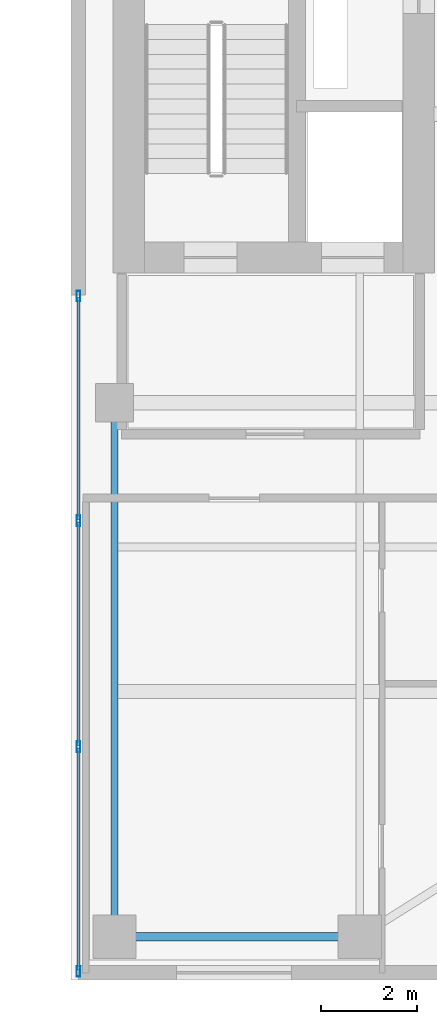
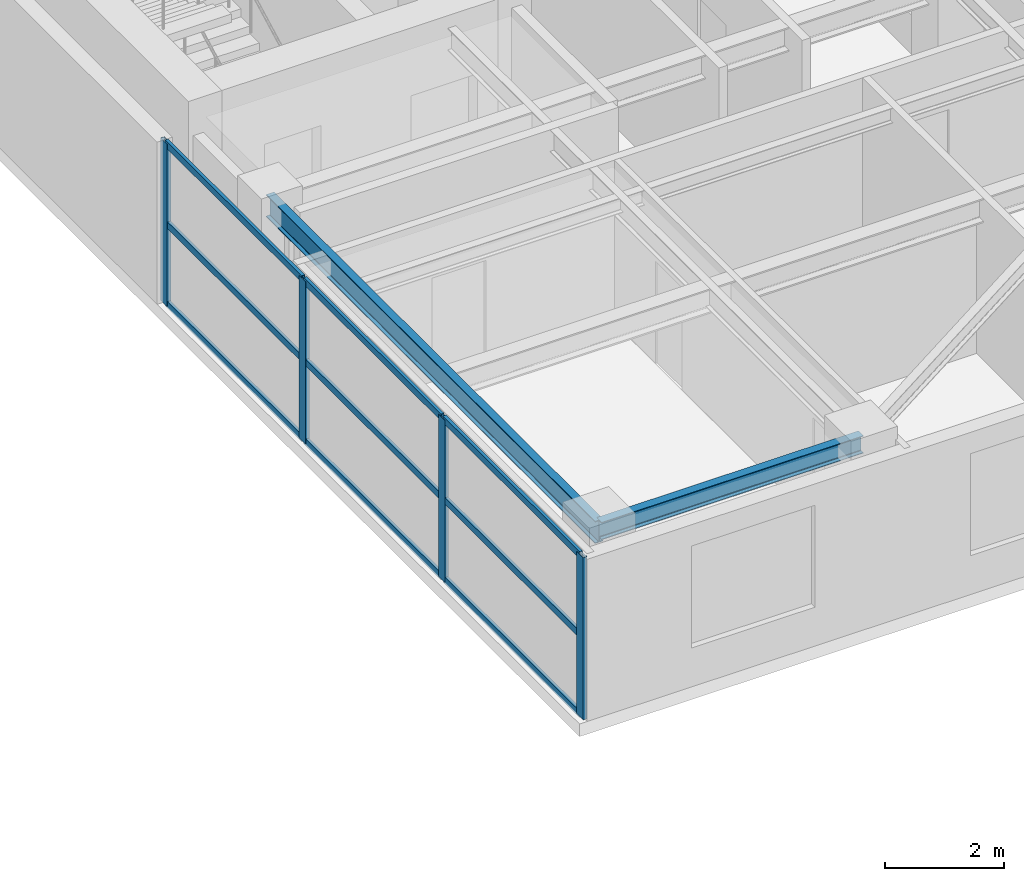
# One storey, part 4 of 21: 13 members, 2 beams, 1 element without a shape of its own.
"""IFC4 building model written with IfcOpenShell, lengths in metres."""

from ifc_helpers import new_model, si_unit, direction, frame, origin, origin_2d, place, context, subcontext, project, spatial, hollow_rectangle, i_section, extrude, source, transform, mapped, material, layer, layer_set, material_profile, profile_set, type_object, element, aggregate, save


model = new_model("IFC4")

# Units and contexts
model_context = context("Model", 3, precision=1e-05, world=origin(), true_north=direction((0.0, 1.0)))
body_context = subcontext(model_context, "Body", "Model", "MODEL_VIEW")
ifc_project = project(units=[si_unit("LENGTHUNIT", "METRE"), si_unit("AREAUNIT", "SQUARE_METRE"), si_unit("VOLUMEUNIT", "CUBIC_METRE"), si_unit("PLANEANGLEUNIT", "RADIAN"), si_unit("MASSUNIT", "GRAM", prefix="KILO")], contexts=[model_context])

# Site, building, storey
site_placement = place(None, origin())
site = spatial("IfcSite", under=ifc_project, at=site_placement, CompositionType="ELEMENT")
building_placement = place(site_placement, origin())
building = spatial("IfcBuilding", under=site, at=building_placement, Name="Khoralis Quay Care Tower", CompositionType="ELEMENT")
storey_placement = place(building_placement, frame((0.0, 0.0, 206.10009765625)))
storey = spatial("IfcBuildingStorey", under=building, at=storey_placement, Name="L54", CompositionType="ELEMENT", Elevation=206.10009765625)

# Beams
ifc_material_1 = material(Name="Steel S355", Category="steel")
ifc_material_profile_1 = material_profile(ifc_material_1, i_section(OverallWidth=0.169921875, OverallDepth=0.360107421875, WebThickness=0.008056640625, FlangeThickness=0.0126953125, FilletRadius=0.01806640625, at=origin_2d()), Name="Steel S355")
ifc_profile_set_1 = profile_set([ifc_material_profile_1], Name="Steel S355")
beam_type_1 = type_object("IfcBeamType", Name="BM-IPE360", PredefinedType="SPANDREL", material=ifc_profile_set_1)
shared_shape_1 = source(origin(), body_context, "Body", "SweptSolid", [
    extrude(i_section(OverallWidth=0.169921875, OverallDepth=0.360107421875, WebThickness=0.008056640625, FlangeThickness=0.0126953125, FilletRadius=0.01806640625, at=origin_2d()), origin(), (0.0, 0.0, 1.0), 5.10009765625),
])
beam_1_placement = place(storey_placement, frame((30.89990234375, 0.89990234375, 3.159912109375), z_axis=(1.0, 0.0, 0.0), x_axis=(0.0, 1.0, 0.0)))
element("IfcBeam", 1, at=beam_1_placement, inside=storey, type_object=beam_type_1, Name="BM-TSP-L54-02", PredefinedType="SPANDREL", context=body_context, shape_type="MappedRepresentation", body=[
    mapped(shared_shape_1, transform((0.0, 0.0, 0.0), scale=1.0)),
])
ifc_material_profile_2 = material_profile(ifc_material_1, i_section(OverallWidth=0.154052734375, OverallDepth=0.458984375, WebThickness=0.009033203125, FlangeThickness=0.015380859375, FilletRadius=0.014892578125, at=origin_2d()), Name="Steel S355")
ifc_profile_set_2 = profile_set([ifc_material_profile_2], Name="Steel S355")
beam_type_2 = type_object("IfcBeamType", Name="BM-W460X68", PredefinedType="BEAM", material=ifc_profile_set_2)
shared_shape_2 = source(origin(), body_context, "Body", "SweptSolid", [
    extrude(i_section(OverallWidth=0.154052734375, OverallDepth=0.458984375, WebThickness=0.009033203125, FlangeThickness=0.015380859375, FilletRadius=0.014892578125, at=origin_2d()), origin(), (0.0, 0.0, 1.0), 11.10009765625),
])
beam_2_placement = place(storey_placement, frame((30.89990234375, 0.89990234375, 3.1103515625), z_axis=(0.0, 1.0, 0.0), x_axis=(-1.0, 0.0, 0.0)))
element("IfcBeam", 2, at=beam_2_placement, inside=storey, type_object=beam_type_2, Name="BM-TGYS-L54-309", PredefinedType="BEAM", context=body_context, shape_type="MappedRepresentation", body=[
    mapped(shared_shape_2, transform((0.0, 0.0, 0.0), scale=1.0)),
])

# Curtain wall, members
ifc_material_2 = material(Name="Pale anodised aluminium", Category="aluminium")
ifc_layer = layer(ifc_material_2, 0.18994140625)
ifc_layer_set = layer_set([ifc_layer], Name="Pale anodised aluminium")
curtain_wall_type = type_object("IfcCurtainWallType", Name="CW-SYS-PORTAL", PredefinedType="NOTDEFINED", material=ifc_layer_set)
curtain_wall_placement = place(storey_placement, origin())
curtain_wall = element("IfcCurtainWall", 3, at=curtain_wall_placement, inside=storey, type_object=curtain_wall_type, Name="L54 Unitised Curtain Wall CW-VP-L54-P2-S", PredefinedType="NOTDEFINED")
ifc_material_profile_3 = material_profile(ifc_material_2, hollow_rectangle(XDim=0.06005859375, YDim=0.139892578125, WallThickness=0.00390625, at=origin_2d()), Name="Pale anodised aluminium")
ifc_profile_set_3 = profile_set([ifc_material_profile_3], Name="Pale anodised aluminium")
member_type_1 = type_object("IfcMemberType", Name="CW-TRN-140", PredefinedType="USERDEFINED", material=ifc_profile_set_3)
shared_shape_3 = source(origin(), body_context, "Body", "SweptSolid", [
    extrude(hollow_rectangle(XDim=0.06005859375, YDim=0.139892578125, WallThickness=0.00390625, at=origin_2d()), origin(), (0.0, 0.0, 1.0), 4.610107421875),
])
member_1_placement = place(storey_placement, frame((30.14990234375, 0.2099609375, 0.02978515625), z_axis=(0.0, 1.0, 0.0), x_axis=(-1.0, 0.0, 0.0)))
member_1 = element("IfcMember", 4, at=member_1_placement, type_object=member_type_1, Name="CW4 transom 1.1", ObjectType="TRANSOM", PredefinedType="USERDEFINED", context=body_context, shape_type="MappedRepresentation", body=[
    mapped(shared_shape_3, transform((0.0, 0.0, 0.0), scale=1.0)),
])
member_2_placement = place(storey_placement, frame((30.14990234375, 0.2099609375, 1.669921875), z_axis=(0.0, 1.0, 0.0), x_axis=(-1.0, 0.0, 0.0)))
member_2 = element("IfcMember", 5, at=member_2_placement, type_object=member_type_1, Name="CW4 transom 1.2", ObjectType="TRANSOM", PredefinedType="USERDEFINED", context=body_context, shape_type="MappedRepresentation", body=[
    mapped(shared_shape_3, transform((0.0, 0.0, 0.0), scale=1.0)),
])
member_3_placement = place(storey_placement, frame((30.14990234375, 0.2099609375, 3.309814453125), z_axis=(0.0, 1.0, 0.0), x_axis=(-1.0, 0.0, 0.0)))
member_3 = element("IfcMember", 6, at=member_3_placement, type_object=member_type_1, Name="CW4 transom 1.3", ObjectType="TRANSOM", PredefinedType="USERDEFINED", context=body_context, shape_type="MappedRepresentation", body=[
    mapped(shared_shape_3, transform((0.0, 0.0, 0.0), scale=1.0)),
])
shared_shape_4 = source(origin(), body_context, "Body", "SweptSolid", [
    extrude(hollow_rectangle(XDim=0.06005859375, YDim=0.139892578125, WallThickness=0.00390625, at=origin_2d()), origin(), (0.0, 0.0, 1.0), 4.64013671875),
])
member_4_placement = place(storey_placement, frame((30.14990234375, 4.8798828125, 0.02978515625), z_axis=(0.0, 1.0, 0.0), x_axis=(-1.0, 0.0, 0.0)))
member_4 = element("IfcMember", 7, at=member_4_placement, type_object=member_type_1, Name="CW4 transom 2.1", ObjectType="TRANSOM", PredefinedType="USERDEFINED", context=body_context, shape_type="MappedRepresentation", body=[
    mapped(shared_shape_4, transform((0.0, 0.0, 0.0), scale=1.0)),
])
member_5_placement = place(storey_placement, frame((30.14990234375, 4.8798828125, 1.669921875), z_axis=(0.0, 1.0, 0.0), x_axis=(-1.0, 0.0, 0.0)))
member_5 = element("IfcMember", 8, at=member_5_placement, type_object=member_type_1, Name="CW4 transom 2.2", ObjectType="TRANSOM", PredefinedType="USERDEFINED", context=body_context, shape_type="MappedRepresentation", body=[
    mapped(shared_shape_4, transform((0.0, 0.0, 0.0), scale=1.0)),
])
member_6_placement = place(storey_placement, frame((30.14990234375, 4.8798828125, 3.309814453125), z_axis=(0.0, 1.0, 0.0), x_axis=(-1.0, 0.0, 0.0)))
member_6 = element("IfcMember", 9, at=member_6_placement, type_object=member_type_1, Name="CW4 transom 2.3", ObjectType="TRANSOM", PredefinedType="USERDEFINED", context=body_context, shape_type="MappedRepresentation", body=[
    mapped(shared_shape_4, transform((0.0, 0.0, 0.0), scale=1.0)),
])
shared_shape_5 = source(origin(), body_context, "Body", "SweptSolid", [
    extrude(hollow_rectangle(XDim=0.06005859375, YDim=0.139892578125, WallThickness=0.00390625, at=origin_2d()), origin(), (0.0, 0.0, 1.0), 4.60986328125),
])
member_7_placement = place(storey_placement, frame((30.14990234375, 9.580078125, 0.02978515625), z_axis=(0.0, 1.0, 0.0), x_axis=(-1.0, 0.0, 0.0)))
member_7 = element("IfcMember", 10, at=member_7_placement, type_object=member_type_1, Name="CW4 transom 3.1", ObjectType="TRANSOM", PredefinedType="USERDEFINED", context=body_context, shape_type="MappedRepresentation", body=[
    mapped(shared_shape_5, transform((0.0, 0.0, 0.0), scale=1.0)),
])
member_8_placement = place(storey_placement, frame((30.14990234375, 9.580078125, 1.669921875), z_axis=(0.0, 1.0, 0.0), x_axis=(-1.0, 0.0, 0.0)))
member_8 = element("IfcMember", 11, at=member_8_placement, type_object=member_type_1, Name="CW4 transom 3.2", ObjectType="TRANSOM", PredefinedType="USERDEFINED", context=body_context, shape_type="MappedRepresentation", body=[
    mapped(shared_shape_5, transform((0.0, 0.0, 0.0), scale=1.0)),
])
member_9_placement = place(storey_placement, frame((30.14990234375, 9.580078125, 3.309814453125), z_axis=(0.0, 1.0, 0.0), x_axis=(-1.0, 0.0, 0.0)))
member_9 = element("IfcMember", 12, at=member_9_placement, type_object=member_type_1, Name="CW4 transom 3.3", ObjectType="TRANSOM", PredefinedType="USERDEFINED", context=body_context, shape_type="MappedRepresentation", body=[
    mapped(shared_shape_5, transform((0.0, 0.0, 0.0), scale=1.0)),
])
ifc_material_profile_4 = material_profile(ifc_material_2, hollow_rectangle(XDim=0.074951171875, YDim=0.219970703125, WallThickness=0.00390625, at=origin_2d()), Name="Pale anodised aluminium")
ifc_profile_set_4 = profile_set([ifc_material_profile_4], Name="Pale anodised aluminium")
member_type_2 = type_object("IfcMemberType", Name="CW-MUL-220", PredefinedType="MULLION", material=ifc_profile_set_4)
shared_shape_6 = source(origin(), body_context, "Body", "SweptSolid", [
    extrude(hollow_rectangle(XDim=0.074951171875, YDim=0.219970703125, WallThickness=0.00390625, at=origin_2d()), origin(), (0.0, 0.0, 1.0), 3.33984375),
])
member_10_placement = place(storey_placement, frame((30.14990234375, 0.179931640625, 0.0), z_axis=(0.0, 0.0, 1.0), x_axis=(-1.0, 0.0, 0.0)))
member_10 = element("IfcMember", 13, at=member_10_placement, type_object=member_type_2, Name="CW4 mullion 1", PredefinedType="MULLION", context=body_context, shape_type="MappedRepresentation", body=[
    mapped(shared_shape_6, transform((0.0, 0.0, 0.0), scale=1.0)),
])
member_11_placement = place(storey_placement, frame((30.14990234375, 4.85009765625, 0.0), z_axis=(0.0, 0.0, 1.0), x_axis=(-1.0, 0.0, 0.0)))
member_11 = element("IfcMember", 14, at=member_11_placement, type_object=member_type_2, Name="CW4 mullion 2", PredefinedType="MULLION", context=body_context, shape_type="MappedRepresentation", body=[
    mapped(shared_shape_6, transform((0.0, 0.0, 0.0), scale=1.0)),
])
member_12_placement = place(storey_placement, frame((30.14990234375, 9.550048828125, 0.0), z_axis=(0.0, 0.0, 1.0), x_axis=(-1.0, 0.0, 0.0)))
member_12 = element("IfcMember", 15, at=member_12_placement, type_object=member_type_2, Name="CW4 mullion 3", PredefinedType="MULLION", context=body_context, shape_type="MappedRepresentation", body=[
    mapped(shared_shape_6, transform((0.0, 0.0, 0.0), scale=1.0)),
])
member_13_placement = place(storey_placement, frame((30.14990234375, 14.219970703125, 0.0), z_axis=(0.0, 0.0, 1.0), x_axis=(-1.0, 0.0, 0.0)))
member_13 = element("IfcMember", 16, at=member_13_placement, type_object=member_type_2, Name="CW4 mullion 4", PredefinedType="MULLION", context=body_context, shape_type="MappedRepresentation", body=[
    mapped(shared_shape_6, transform((0.0, 0.0, 0.0), scale=1.0)),
])
aggregate(curtain_wall, [member_10, member_11, member_12, member_13, member_1, member_2, member_3, member_4, member_5, member_6, member_7, member_8, member_9])

save(model, "model.ifc")
